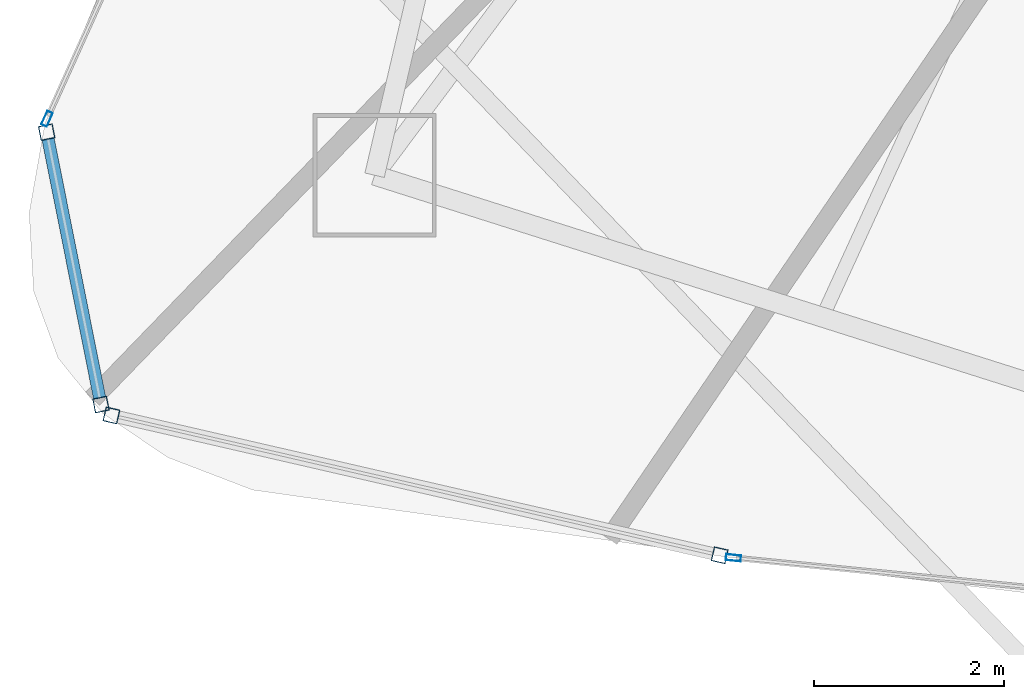
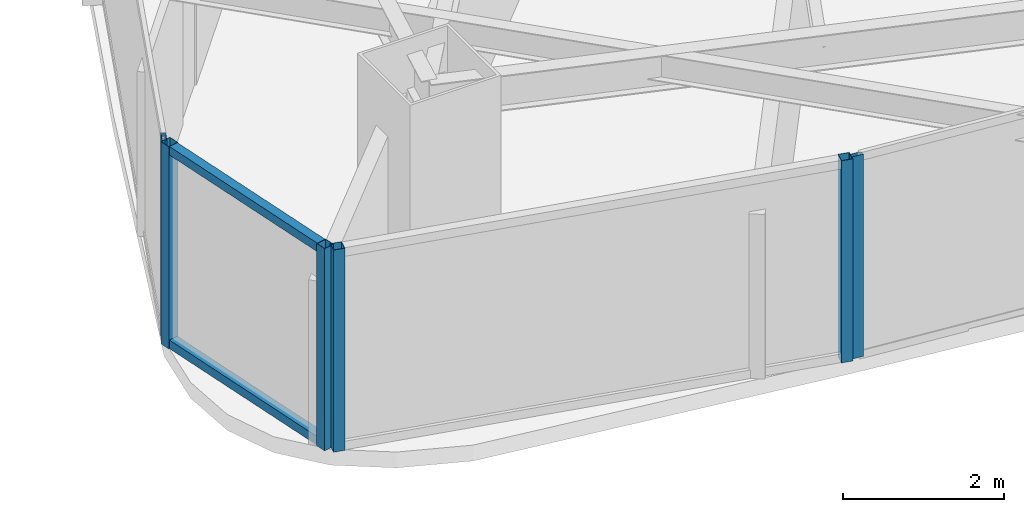
# One storey, part 2 of 29: 8 members, 4 elements without a shape of their own.
"""IFC4 building model written with IfcOpenShell, lengths in metres."""

from ifc_helpers import new_model, si_unit, direction, frame, origin, origin_2d, place, context, subcontext, project, spatial, hollow_rectangle, extrude, material, layer, layer_set, material_profile, profile_set, type_object, element, aggregate, save


model = new_model("IFC4")

# Units and contexts
model_context = context("Model", 3, precision=1e-05, world=origin(), true_north=direction((0.0, 1.0)))
body_context = subcontext(model_context, "Body", "Model", "MODEL_VIEW")
ifc_project = project(units=[si_unit("LENGTHUNIT", "METRE"), si_unit("AREAUNIT", "SQUARE_METRE"), si_unit("VOLUMEUNIT", "CUBIC_METRE"), si_unit("PLANEANGLEUNIT", "RADIAN"), si_unit("MASSUNIT", "GRAM", prefix="KILO")], contexts=[model_context])

# Site, building, storey
site_placement = place(None, origin())
site = spatial("IfcSite", under=ifc_project, at=site_placement, CompositionType="ELEMENT")
building_placement = place(site_placement, origin())
building = spatial("IfcBuilding", under=site, at=building_placement, Name="Orvanel Arch Residences", CompositionType="ELEMENT")
storey_placement = place(building_placement, frame((0.0, 0.0, 243.64990234375)))
storey = spatial("IfcBuildingStorey", under=building, at=storey_placement, Name="L69", CompositionType="ELEMENT", Elevation=243.64990234375)

# Curtain wall, members
ifc_material = material(Name="Bronze-anodised aluminium AA6063-T6", Category="aluminium")
ifc_layer_1 = layer(ifc_material, 0.18994140625)
ifc_layer_set_1 = layer_set([ifc_layer_1], Name="Bronze-anodised aluminium AA6063-T6")
curtain_wall_type_1 = type_object("IfcCurtainWallType", Name="CW5-CRN-SYS", PredefinedType="NOTDEFINED", material=ifc_layer_set_1)
curtain_wall_1_placement = place(storey_placement, origin())
curtain_wall_1 = element("IfcCurtainWall", 1, at=curtain_wall_1_placement, inside=storey, type_object=curtain_wall_type_1, Name="L69 CW5-CRN-SYS Unitised Curtain Wall", PredefinedType="NOTDEFINED")
ifc_material_profile_1 = material_profile(ifc_material, hollow_rectangle(XDim=0.14990234375, YDim=0.14990234375, WallThickness=0.0048828125, at=origin_2d()), Name="ALU150x150x5")
ifc_profile_set_1 = profile_set([ifc_material_profile_1], Name="Bronze-anodised aluminium AA6063-T6")
member_type_1 = type_object("IfcMemberType", Name="MUL-150x150", PredefinedType="MULLION", material=ifc_profile_set_1)
member_1_placement = place(storey_placement, frame((10.73876953125, 10.805419921875, 0.0), z_axis=(0.0, 0.0, 1.0), x_axis=(0.980730172854, 0.195367162167, 0.0)))
member_1 = element("IfcMember", 2, at=member_1_placement, type_object=member_type_1, Name="CW-S5 mullion 1", PredefinedType="MULLION", context=body_context, shape_type="SweptSolid", body=[
    extrude(hollow_rectangle(XDim=0.14990234375, YDim=0.14990234375, WallThickness=0.0048828125, at=origin_2d()), origin(), (0.0, 0.0, 1.0), 3.06005859375),
])
member_2_placement = place(storey_placement, frame((11.311279296875, 7.9306640625, 0.0), z_axis=(0.0, 0.0, 1.0), x_axis=(0.980730172854, 0.195367162167, 0.0)))
member_2 = element("IfcMember", 3, at=member_2_placement, type_object=member_type_1, Name="CW-S5 mullion 2", PredefinedType="MULLION", context=body_context, shape_type="SweptSolid", body=[
    extrude(hollow_rectangle(XDim=0.14990234375, YDim=0.14990234375, WallThickness=0.0048828125, at=origin_2d()), origin(), (0.0, 0.0, 1.0), 3.06005859375),
])

curtain_wall_2_placement = place(storey_placement, origin())
curtain_wall_2 = element("IfcCurtainWall", 4, at=curtain_wall_2_placement, inside=storey, type_object=curtain_wall_type_1, Name="L69 CW5-CRN-SYS Unitised Curtain Wall", PredefinedType="NOTDEFINED")
member_3_placement = place(storey_placement, frame((11.422119140625, 7.816162109375, 0.0), z_axis=(0.0, 0.0, 1.0), x_axis=(0.224154742337, 0.974553565223, 0.0)))
member_3 = element("IfcMember", 5, at=member_3_placement, type_object=member_type_1, Name="CW-S5 mullion 1", PredefinedType="MULLION", context=body_context, shape_type="SweptSolid", body=[
    extrude(hollow_rectangle(XDim=0.14990234375, YDim=0.14990234375, WallThickness=0.0048828125, at=origin_2d()), origin(), (0.0, 0.0, 1.0), 3.06005859375),
])
member_4_placement = place(storey_placement, frame((17.8408203125, 6.33984375, 0.0), z_axis=(0.0, 0.0, 1.0), x_axis=(0.224154742337, 0.974553565223, 0.0)))
member_4 = element("IfcMember", 6, at=member_4_placement, type_object=member_type_1, Name="CW-S5 mullion 2", PredefinedType="MULLION", context=body_context, shape_type="SweptSolid", body=[
    extrude(hollow_rectangle(XDim=0.14990234375, YDim=0.14990234375, WallThickness=0.0048828125, at=origin_2d()), origin(), (0.0, 0.0, 1.0), 3.06005859375),
])
aggregate(curtain_wall_2, [member_3, member_4])

# Curtain wall, member
ifc_layer_2 = layer(ifc_material, 0.175048828125)
ifc_layer_set_2 = layer_set([ifc_layer_2], Name="Bronze-anodised aluminium AA6063-T6")
curtain_wall_type_2 = type_object("IfcCurtainWallType", Name="CW4-HI-SYS", PredefinedType="NOTDEFINED", material=ifc_layer_set_2)
curtain_wall_3_placement = place(storey_placement, origin())
curtain_wall_3 = element("IfcCurtainWall", 7, at=curtain_wall_3_placement, inside=storey, type_object=curtain_wall_type_2, Name="L69 CW4-HI-SYS Unitised Curtain Wall", PredefinedType="NOTDEFINED")
ifc_material_profile_2 = material_profile(ifc_material, hollow_rectangle(XDim=0.06494140625, YDim=0.159912109375, WallThickness=0.00390625, at=origin_2d()), Name="ALU160x65x4")
ifc_profile_set_2 = profile_set([ifc_material_profile_2], Name="Bronze-anodised aluminium AA6063-T6")
member_type_2 = type_object("IfcMemberType", Name="MUL-160x65", PredefinedType="MULLION", material=ifc_profile_set_2)
member_5_placement = place(storey_placement, frame((10.741455078125, 10.946533203125, 0.0), z_axis=(0.0, 0.0, 1.0), x_axis=(0.911827998826, -0.410572405987, 0.0)))
member_5 = element("IfcMember", 8, at=member_5_placement, type_object=member_type_2, Name="CW-S4 mullion 3", PredefinedType="MULLION", context=body_context, shape_type="SweptSolid", body=[
    extrude(hollow_rectangle(XDim=0.06494140625, YDim=0.159912109375, WallThickness=0.00390625, at=origin_2d()), origin(), (0.0, 0.0, 1.0), 3.06005859375),
])
aggregate(curtain_wall_3, [member_5])

curtain_wall_4_placement = place(storey_placement, origin())
curtain_wall_4 = element("IfcCurtainWall", 9, at=curtain_wall_4_placement, inside=storey, type_object=curtain_wall_type_2, Name="L69 CW4-HI-SYS Unitised Curtain Wall", PredefinedType="NOTDEFINED")
member_6_placement = place(storey_placement, frame((17.9853515625, 6.313720703125, 0.0), z_axis=(0.0, 0.0, 1.0), x_axis=(0.099356011792, 0.99505194986, 0.0)))
member_6 = element("IfcMember", 10, at=member_6_placement, type_object=member_type_2, Name="CW-S4 mullion 1", PredefinedType="MULLION", context=body_context, shape_type="SweptSolid", body=[
    extrude(hollow_rectangle(XDim=0.06494140625, YDim=0.159912109375, WallThickness=0.00390625, at=origin_2d()), origin(), (0.0, 0.0, 1.0), 3.06005859375),
])
aggregate(curtain_wall_4, [member_6])

# Member
ifc_material_profile_3 = material_profile(ifc_material, hollow_rectangle(XDim=0.1298828125, YDim=0.1298828125, WallThickness=0.00439453125, at=origin_2d()), Name="ALU130x130x4.5")
ifc_profile_set_3 = profile_set([ifc_material_profile_3], Name="Bronze-anodised aluminium AA6063-T6")
member_type_3 = type_object("IfcMemberType", Name="TRN-130x130", PredefinedType="USERDEFINED", material=ifc_profile_set_3)
member_7_placement = place(storey_placement, frame((10.75341796875, 10.73193359375, 0.065185546875), z_axis=(0.195305810717, -0.980742392425, 0.0), x_axis=(0.980742392425, 0.195305810717, 0.0)))
member_7 = element("IfcMember", 11, at=member_7_placement, type_object=member_type_3, Name="CW-S5 transom 1.1", ObjectType="TRANSOM", PredefinedType="USERDEFINED", context=body_context, shape_type="SweptSolid", body=[
    extrude(hollow_rectangle(XDim=0.1298828125, YDim=0.1298828125, WallThickness=0.00439453125, at=origin_2d()), origin(), (0.0, 0.0, 1.0), 2.78125),
])

member_8_placement = place(storey_placement, frame((10.75341796875, 10.73193359375, 2.9951171875), z_axis=(0.195305810717, -0.980742392425, 0.0), x_axis=(0.980742392425, 0.195305810717, 0.0)))
member_8 = element("IfcMember", 12, at=member_8_placement, type_object=member_type_3, Name="CW-S5 transom 1.2", ObjectType="TRANSOM", PredefinedType="USERDEFINED", context=body_context, shape_type="SweptSolid", body=[
    extrude(hollow_rectangle(XDim=0.1298828125, YDim=0.1298828125, WallThickness=0.00439453125, at=origin_2d()), origin(), (0.0, 0.0, 1.0), 2.78125),
])

aggregate(curtain_wall_1, [member_1, member_2, member_7, member_8])

save(model, "model.ifc")
